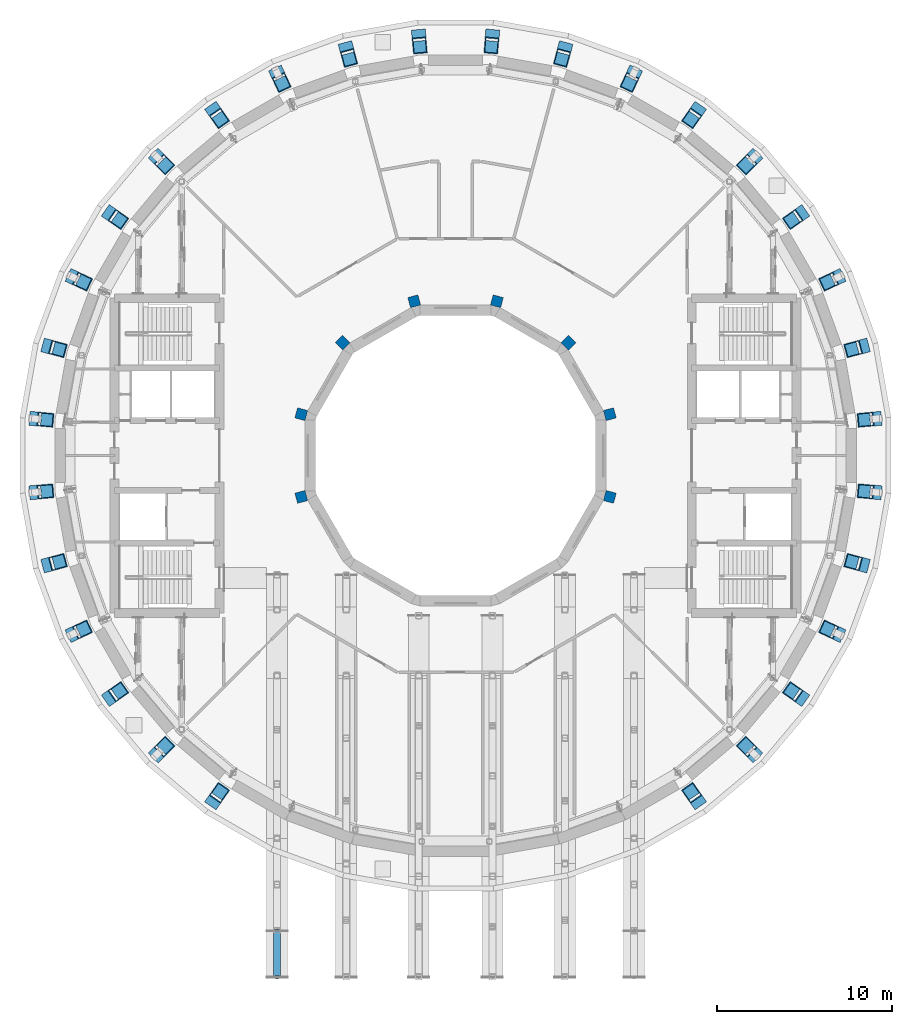
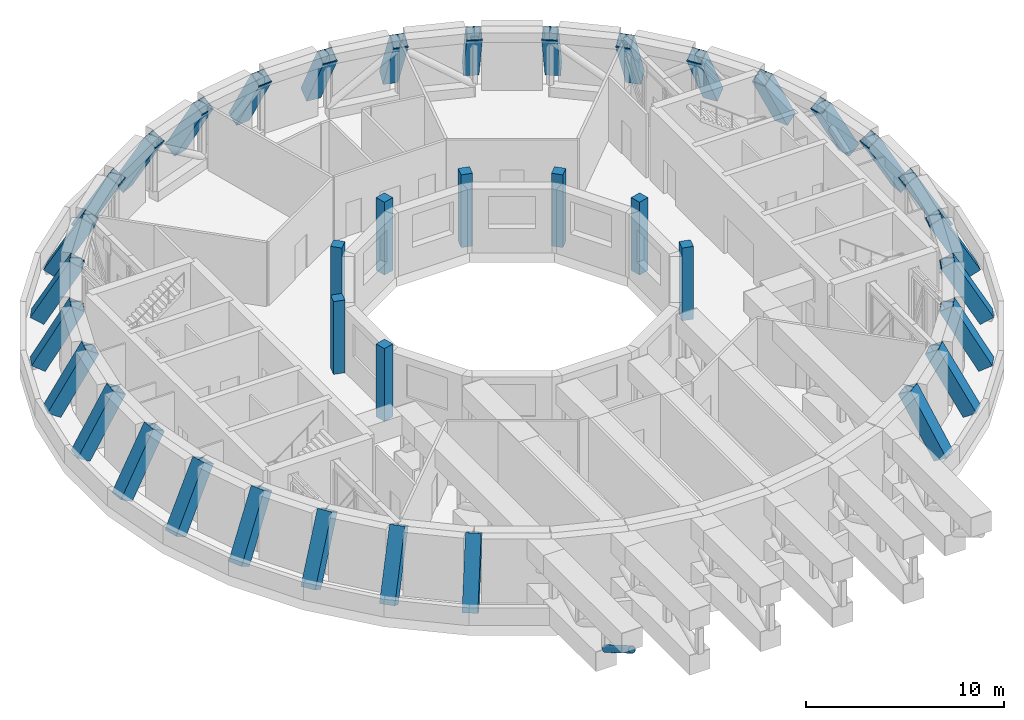
# One storey, part 1 of 20: 38 columns, 1 member.
"""IFC4 building model written with IfcOpenShell, lengths in metres."""

from ifc_helpers import new_model, si_unit, direction, frame, origin, origin_2d, place, context, subcontext, project, spatial, rectangle, hollow_rectangle, hollow_circle, extrude, material, material_profile, profile_set, type_object, element, save


model = new_model("IFC4")

# Units and contexts
model_context = context("Model", 3, precision=1e-05, world=origin(), true_north=direction((0.0, 1.0)))
body_context = subcontext(model_context, "Body", "Model", "MODEL_VIEW")
ifc_project = project(units=[si_unit("LENGTHUNIT", "METRE"), si_unit("AREAUNIT", "SQUARE_METRE"), si_unit("VOLUMEUNIT", "CUBIC_METRE"), si_unit("PLANEANGLEUNIT", "RADIAN"), si_unit("MASSUNIT", "GRAM", prefix="KILO")], contexts=[model_context])

# Site, building, storey
site_placement = place(None, origin())
site = spatial("IfcSite", under=ifc_project, at=site_placement, CompositionType="ELEMENT")
building_placement = place(site_placement, origin())
building = spatial("IfcBuilding", under=site, at=building_placement, Name="Saqina Gate Tower", CompositionType="ELEMENT")
storey_placement = place(building_placement, frame((0.0, 0.0, 220.199951171875)))
storey = spatial("IfcBuildingStorey", under=building, at=storey_placement, Name="L63", CompositionType="ELEMENT", Elevation=220.199951171875)

# Columns
ifc_material_1 = material(Name="Concrete C60/75", Category="concrete")
ifc_material_profile_1 = material_profile(ifc_material_1, rectangle(XDim=0.60009765625, YDim=0.60009765625, at=origin_2d()), Name="RC 600x600")
ifc_profile_set_1 = profile_set([ifc_material_profile_1], Name="Concrete C60/75")
column_type_1 = type_object("IfcColumnType", Name="STR-COL-IN-D", PredefinedType="COLUMN", material=ifc_profile_set_1)
for number, where, z_axis, x_axis, name in (
    (1, (8.821044921875, 2.363525390625, 0.0), (0.0, 0.0, 1.0), (0.965925826289, 0.258819045103, 0.0), "L63-ICL01"),
    (2, (6.45751953125, 6.45751953125, 0.0), (0.0, 0.0, 1.0), (0.707106781187, 0.707106781187, 0.0), "L63-ICL02"),
    (3, (2.363525390625, 8.821044921875, 0.0), (0.0, 0.0, 1.0), (0.258819045103, 0.965925826289, 0.0), "L63-ICL03"),
    (4, (-2.363525390625, 8.821044921875, 0.0), (0.0, 0.0, 1.0), (-0.258819045103, 0.965925826289, 0.0), "L63-ICL04"),
    (5, (-6.45751953125, 6.45751953125, 0.0), (0.0, 0.0, 1.0), (-0.707106781187, 0.707106781187, 0.0), "L63-ICL05"),
    (6, (-8.821044921875, 2.363525390625, 0.0), (0.0, 0.0, 1.0), (-0.965925826289, 0.258819045103, 0.0), "L63-ICL06"),
    (7, (-8.821044921875, -2.363525390625, 0.0), (0.0, 0.0, 1.0), (-0.965925826289, -0.258819045103, 0.0), "L63-ICL07"),
    (8, (8.821044921875, -2.363525390625, 0.0), (0.0, 0.0, 1.0), (0.965925826289, -0.258819045103, 0.0), "L63-ICL12"),
):
    element("IfcColumn", number, at=place(storey_placement, frame(where, z_axis=z_axis, x_axis=x_axis)), inside=storey, type_object=column_type_1, Name=name, PredefinedType="COLUMN", context=body_context, shape_type="SweptSolid", body=[
        extrude(rectangle(XDim=0.60009765625, YDim=0.60009765625, at=origin_2d()), origin(), (0.0, 0.0, 1.0), 4.5),
    ])
ifc_material_2 = material(Name="Steel S460", Category="steel")
ifc_material_profile_2 = material_profile(ifc_material_2, hollow_rectangle(XDim=0.800048828125, YDim=0.800048828125, WallThickness=0.050048828125, at=origin_2d()), Name="BOX 800x800x50")
ifc_profile_set_2 = profile_set([ifc_material_profile_2], Name="Steel S460")
column_type_2 = type_object("IfcColumnType", Name="STR-INCLINED COLUMN L63-BOX 800x800x50", PredefinedType="COLUMN", material=ifc_profile_set_2)
for number, where, z_axis, x_axis, name in (
    (9, (24.00830078125, 2.100341796875, 0.196044921875), (-0.488137555743, -0.042706802451, 0.871721202965), (0.087156350505, -0.99619464492, 0.0), "INCLINED COLUMN L63 01"),
    (10, (23.27880859375, 6.237548828125, 0.196044921875), (-0.473305300402, -0.126804907981, 0.871723928732), (0.258786931944, -0.965934430412, 0.0), "INCLINED COLUMN L63 02"),
    (11, (21.842041015625, 10.18505859375, 0.196044921875), (-0.444111400041, -0.207072547736, 0.871714416726), (0.422584737529, -0.906323418878, 0.0), "INCLINED COLUMN L63 03"),
):
    element("IfcColumn", number, at=place(storey_placement, frame(where, z_axis=z_axis, x_axis=x_axis)), inside=storey, type_object=column_type_2, Name=name, PredefinedType="COLUMN", context=body_context, shape_type="SweptSolid", body=[
        extrude(hollow_rectangle(XDim=0.800048828125, YDim=0.800048828125, WallThickness=0.050048828125, at=origin_2d()), origin(), (0.0, 0.0, 1.0), 4.081787109375),
    ])
column_1_placement = place(storey_placement, frame((19.741455078125, 13.8232421875, 0.196044921875), z_axis=(-0.401353278691, -0.281066923483, 0.871732143613), x_axis=(0.573626190743, -0.819117203636, 0.0)))
element("IfcColumn", 12, at=column_1_placement, inside=storey, type_object=column_type_2, Name="INCLINED COLUMN L63 04", PredefinedType="COLUMN", context=body_context, shape_type="SweptSolid", body=[
    extrude(hollow_rectangle(XDim=0.800048828125, YDim=0.800048828125, WallThickness=0.050048828125, at=origin_2d()), origin(), (0.0, 0.0, 1.0), 4.08154296875),
])
column_2_placement = place(storey_placement, frame((17.041259765625, 17.041259765625, 0.196044921875), z_axis=(-0.346495601837, -0.346495601837, 0.871711876605), x_axis=(0.707106781187, -0.707106781187, 0.0)))
element("IfcColumn", 13, at=column_2_placement, inside=storey, type_object=column_type_2, Name="INCLINED COLUMN L63 05", PredefinedType="COLUMN", context=body_context, shape_type="SweptSolid", body=[
    extrude(hollow_rectangle(XDim=0.800048828125, YDim=0.800048828125, WallThickness=0.050048828125, at=origin_2d()), origin(), (0.0, 0.0, 1.0), 4.081787109375),
])
column_3_placement = place(storey_placement, frame((13.8232421875, 19.741455078125, 0.196044921875), z_axis=(-0.281066923483, -0.401353278691, 0.871732143613), x_axis=(0.819117203636, -0.573626190743, 0.0)))
element("IfcColumn", 14, at=column_3_placement, inside=storey, type_object=column_type_2, Name="INCLINED COLUMN L63 06", PredefinedType="COLUMN", context=body_context, shape_type="SweptSolid", body=[
    extrude(hollow_rectangle(XDim=0.800048828125, YDim=0.800048828125, WallThickness=0.050048828125, at=origin_2d()), origin(), (0.0, 0.0, 1.0), 4.08154296875),
])
for number, where, z_axis, x_axis, name in (
    (15, (10.18505859375, 21.842041015625, 0.196044921875), (-0.207072547736, -0.444111400041, 0.871714416726), (0.906323418878, -0.422584737529, 0.0), "INCLINED COLUMN L63 07"),
    (16, (6.237548828125, 23.27880859375, 0.196044921875), (-0.126804907981, -0.473305300402, 0.871723928732), (0.965934430412, -0.258786931944, 0.0), "INCLINED COLUMN L63 08"),
    (17, (2.100341796875, 24.00830078125, 0.196044921875), (-0.042706802451, -0.488137555743, 0.871721202965), (0.99619464492, -0.087156350505, 0.0), "INCLINED COLUMN L63 09"),
    (18, (-2.100341796875, 24.00830078125, 0.196044921875), (0.042706802451, -0.488137555743, 0.871721202965), (0.99619464492, 0.087156350505, 0.0), "INCLINED COLUMN L63 10"),
    (19, (-6.237548828125, 23.27880859375, 0.196044921875), (0.126804907981, -0.473305300402, 0.871723928732), (0.965934430412, 0.258786931944, 0.0), "INCLINED COLUMN L63 11"),
    (20, (-10.18505859375, 21.842041015625, 0.196044921875), (0.207072547736, -0.444111400041, 0.871714416726), (0.906323418878, 0.422584737529, 0.0), "INCLINED COLUMN L63 12"),
):
    element("IfcColumn", number, at=place(storey_placement, frame(where, z_axis=z_axis, x_axis=x_axis)), inside=storey, type_object=column_type_2, Name=name, PredefinedType="COLUMN", context=body_context, shape_type="SweptSolid", body=[
        extrude(hollow_rectangle(XDim=0.800048828125, YDim=0.800048828125, WallThickness=0.050048828125, at=origin_2d()), origin(), (0.0, 0.0, 1.0), 4.081787109375),
    ])
column_4_placement = place(storey_placement, frame((-13.8232421875, 19.741455078125, 0.196044921875), z_axis=(0.281066923483, -0.401353278691, 0.871732143613), x_axis=(0.819117203636, 0.573626190743, 0.0)))
element("IfcColumn", 21, at=column_4_placement, inside=storey, type_object=column_type_2, Name="INCLINED COLUMN L63 13", PredefinedType="COLUMN", context=body_context, shape_type="SweptSolid", body=[
    extrude(hollow_rectangle(XDim=0.800048828125, YDim=0.800048828125, WallThickness=0.050048828125, at=origin_2d()), origin(), (0.0, 0.0, 1.0), 4.08154296875),
])
column_5_placement = place(storey_placement, frame((-17.041259765625, 17.041259765625, 0.196044921875), z_axis=(0.346495601837, -0.346495601837, 0.871711876605), x_axis=(0.707106781187, 0.707106781187, 0.0)))
element("IfcColumn", 22, at=column_5_placement, inside=storey, type_object=column_type_2, Name="INCLINED COLUMN L63 14", PredefinedType="COLUMN", context=body_context, shape_type="SweptSolid", body=[
    extrude(hollow_rectangle(XDim=0.800048828125, YDim=0.800048828125, WallThickness=0.050048828125, at=origin_2d()), origin(), (0.0, 0.0, 1.0), 4.081787109375),
])
column_6_placement = place(storey_placement, frame((-19.741455078125, 13.8232421875, 0.196044921875), z_axis=(0.401353278691, -0.281066923483, 0.871732143613), x_axis=(0.573626190743, 0.819117203636, 0.0)))
element("IfcColumn", 23, at=column_6_placement, inside=storey, type_object=column_type_2, Name="INCLINED COLUMN L63 15", PredefinedType="COLUMN", context=body_context, shape_type="SweptSolid", body=[
    extrude(hollow_rectangle(XDim=0.800048828125, YDim=0.800048828125, WallThickness=0.050048828125, at=origin_2d()), origin(), (0.0, 0.0, 1.0), 4.08154296875),
])
for number, where, z_axis, x_axis, name in (
    (24, (-21.842041015625, 10.18505859375, 0.196044921875), (0.444111400041, -0.207072547736, 0.871714416726), (0.422584737529, 0.906323418878, 0.0), "INCLINED COLUMN L63 16"),
    (25, (-23.27880859375, 6.237548828125, 0.196044921875), (0.473305300402, -0.126804907981, 0.871723928732), (0.258786931944, 0.965934430412, 0.0), "INCLINED COLUMN L63 17"),
    (26, (-24.00830078125, 2.100341796875, 0.196044921875), (0.488137555743, -0.042706802451, 0.871721202965), (0.087156350505, 0.99619464492, 0.0), "INCLINED COLUMN L63 18"),
    (27, (-24.00830078125, -2.100341796875, 0.196044921875), (0.488137555743, 0.042706802451, 0.871721202965), (-0.087156350505, 0.99619464492, 0.0), "INCLINED COLUMN L63 19"),
    (28, (-23.27880859375, -6.237548828125, 0.196044921875), (0.473305300402, 0.126804907981, 0.871723928732), (-0.258786931944, 0.965934430412, 0.0), "INCLINED COLUMN L63 20"),
    (29, (-21.842041015625, -10.18505859375, 0.196044921875), (0.444111400041, 0.207072547736, 0.871714416726), (-0.422584737529, 0.906323418878, 0.0), "INCLINED COLUMN L63 21"),
):
    element("IfcColumn", number, at=place(storey_placement, frame(where, z_axis=z_axis, x_axis=x_axis)), inside=storey, type_object=column_type_2, Name=name, PredefinedType="COLUMN", context=body_context, shape_type="SweptSolid", body=[
        extrude(hollow_rectangle(XDim=0.800048828125, YDim=0.800048828125, WallThickness=0.050048828125, at=origin_2d()), origin(), (0.0, 0.0, 1.0), 4.081787109375),
    ])
column_7_placement = place(storey_placement, frame((-19.741455078125, -13.8232421875, 0.196044921875), z_axis=(0.401353278691, 0.281066923483, 0.871732143613), x_axis=(-0.573626190743, 0.819117203636, 0.0)))
element("IfcColumn", 30, at=column_7_placement, inside=storey, type_object=column_type_2, Name="INCLINED COLUMN L63 22", PredefinedType="COLUMN", context=body_context, shape_type="SweptSolid", body=[
    extrude(hollow_rectangle(XDim=0.800048828125, YDim=0.800048828125, WallThickness=0.050048828125, at=origin_2d()), origin(), (0.0, 0.0, 1.0), 4.08154296875),
])
column_8_placement = place(storey_placement, frame((-17.041259765625, -17.041259765625, 0.196044921875), z_axis=(0.346495601837, 0.346495601837, 0.871711876605), x_axis=(-0.707106781187, 0.707106781187, 0.0)))
element("IfcColumn", 31, at=column_8_placement, inside=storey, type_object=column_type_2, Name="INCLINED COLUMN L63 23", PredefinedType="COLUMN", context=body_context, shape_type="SweptSolid", body=[
    extrude(hollow_rectangle(XDim=0.800048828125, YDim=0.800048828125, WallThickness=0.050048828125, at=origin_2d()), origin(), (0.0, 0.0, 1.0), 4.081787109375),
])
for number, where, z_axis, x_axis, name in (
    (32, (-13.8232421875, -19.741455078125, 0.196044921875), (0.281066923483, 0.401353278691, 0.871732143613), (-0.819117203636, 0.573626190743, 0.0), "INCLINED COLUMN L63 24"),
    (33, (13.8232421875, -19.741455078125, 0.196044921875), (-0.281066923483, 0.401353278691, 0.871732143613), (-0.819117203636, -0.573626190743, 0.0), "INCLINED COLUMN L63 31"),
):
    element("IfcColumn", number, at=place(storey_placement, frame(where, z_axis=z_axis, x_axis=x_axis)), inside=storey, type_object=column_type_2, Name=name, PredefinedType="COLUMN", context=body_context, shape_type="SweptSolid", body=[
        extrude(hollow_rectangle(XDim=0.800048828125, YDim=0.800048828125, WallThickness=0.050048828125, at=origin_2d()), origin(), (0.0, 0.0, 1.0), 4.08154296875),
    ])
column_9_placement = place(storey_placement, frame((17.041259765625, -17.041259765625, 0.196044921875), z_axis=(-0.346495601837, 0.346495601837, 0.871711876605), x_axis=(-0.707106781187, -0.707106781187, 0.0)))
element("IfcColumn", 34, at=column_9_placement, inside=storey, type_object=column_type_2, Name="INCLINED COLUMN L63 32", PredefinedType="COLUMN", context=body_context, shape_type="SweptSolid", body=[
    extrude(hollow_rectangle(XDim=0.800048828125, YDim=0.800048828125, WallThickness=0.050048828125, at=origin_2d()), origin(), (0.0, 0.0, 1.0), 4.081787109375),
])
column_10_placement = place(storey_placement, frame((19.741455078125, -13.8232421875, 0.196044921875), z_axis=(-0.401353278691, 0.281066923483, 0.871732143613), x_axis=(-0.573626190743, -0.819117203636, 0.0)))
element("IfcColumn", 35, at=column_10_placement, inside=storey, type_object=column_type_2, Name="INCLINED COLUMN L63 33", PredefinedType="COLUMN", context=body_context, shape_type="SweptSolid", body=[
    extrude(hollow_rectangle(XDim=0.800048828125, YDim=0.800048828125, WallThickness=0.050048828125, at=origin_2d()), origin(), (0.0, 0.0, 1.0), 4.08154296875),
])
for number, where, z_axis, x_axis, name in (
    (36, (21.842041015625, -10.18505859375, 0.196044921875), (-0.444111400041, 0.207072547736, 0.871714416726), (-0.422584737529, -0.906323418878, 0.0), "INCLINED COLUMN L63 34"),
    (37, (23.27880859375, -6.237548828125, 0.196044921875), (-0.473305300402, 0.126804907981, 0.871723928732), (-0.258786931944, -0.965934430412, 0.0), "INCLINED COLUMN L63 35"),
    (38, (24.00830078125, -2.100341796875, 0.196044921875), (-0.488137555743, 0.042706802451, 0.871721202965), (-0.087156350505, -0.99619464492, 0.0), "INCLINED COLUMN L63 36"),
):
    element("IfcColumn", number, at=place(storey_placement, frame(where, z_axis=z_axis, x_axis=x_axis)), inside=storey, type_object=column_type_2, Name=name, PredefinedType="COLUMN", context=body_context, shape_type="SweptSolid", body=[
        extrude(hollow_rectangle(XDim=0.800048828125, YDim=0.800048828125, WallThickness=0.050048828125, at=origin_2d()), origin(), (0.0, 0.0, 1.0), 4.081787109375),
    ])

# Member
ifc_material_3 = material(Name="Steel S460", Category="steel")
ifc_material_profile_3 = material_profile(ifc_material_3, hollow_circle(Radius=0.203125, WallThickness=0.01611328125, at=origin_2d()), Name="CHS 406.4x16")
ifc_profile_set_3 = profile_set([ifc_material_profile_3], Name="Steel S460")
member_type = type_object("IfcMemberType", Name="STR-POOL CANTILEVER TRUSS END DIAGONAL-CHS 406.4x16", PredefinedType="BRACE", material=ifc_profile_set_3)
member_placement = place(storey_placement, frame((-10.206298828125, -29.82275390625, 2.756103515625), z_axis=(0.0, 0.862511097352, -0.506038147717), x_axis=(-1.0, 0.0, 0.0)))
element("IfcMember", 39, at=member_placement, inside=storey, type_object=member_type, Name="POOL CANTILEVER TRUSS END DIAGONAL 206", PredefinedType="BRACE", context=body_context, shape_type="SweptSolid", body=[
    extrude(hollow_circle(Radius=0.203125, WallThickness=0.01611328125, at=origin_2d()), origin(), (0.0, 0.0, 1.0), 3.086669921875),
])

save(model, "model.ifc")
